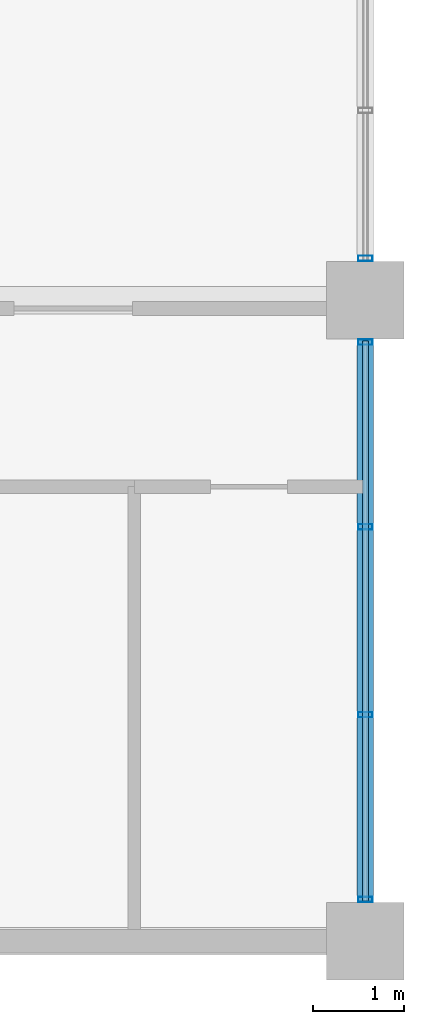
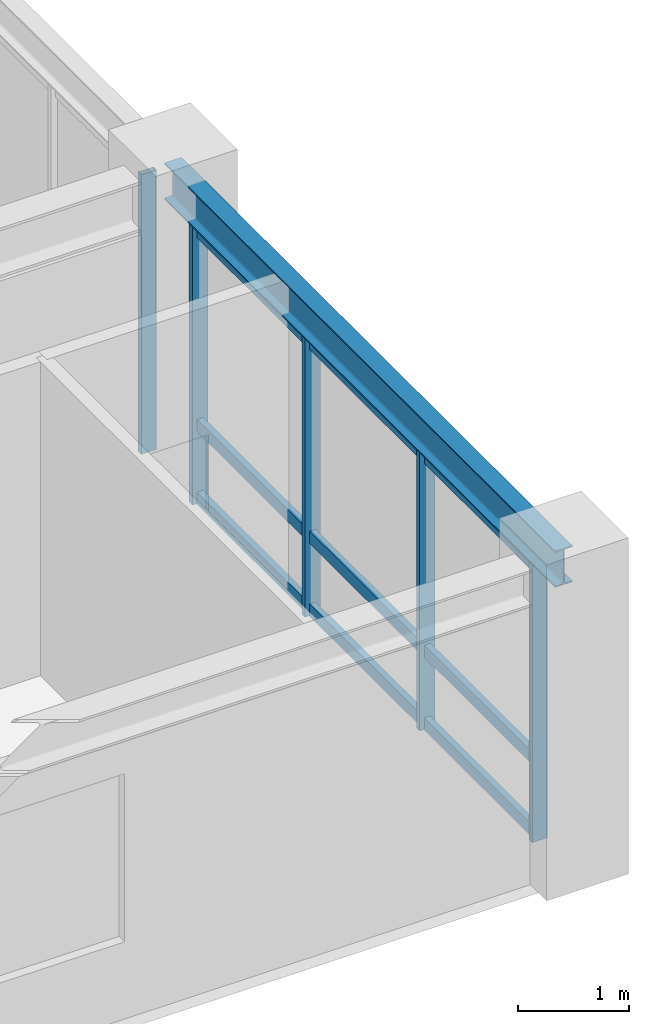
# One storey, part 2 of 10: 8 members, 1 beam, 2 elements without a shape of their own.
"""IFC4 building model written with IfcOpenShell, lengths in metres."""

from ifc_helpers import new_model, si_unit, direction, frame, origin, origin_2d, place, context, subcontext, project, spatial, hollow_rectangle, i_section, extrude, source, transform, mapped, material, layer, layer_set, material_profile, profile_set, type_object, element, aggregate, save


model = new_model("IFC4")

# Units and contexts
model_context = context("Model", 3, precision=1e-05, world=origin(), true_north=direction((0.0, 1.0)))
body_context = subcontext(model_context, "Body", "Model", "MODEL_VIEW")
ifc_project = project(units=[si_unit("LENGTHUNIT", "METRE"), si_unit("AREAUNIT", "SQUARE_METRE"), si_unit("VOLUMEUNIT", "CUBIC_METRE"), si_unit("PLANEANGLEUNIT", "RADIAN"), si_unit("MASSUNIT", "GRAM", prefix="KILO")], contexts=[model_context])

# Site, building, storey
site_placement = place(None, origin())
site = spatial("IfcSite", under=ifc_project, at=site_placement, CompositionType="ELEMENT")
building_placement = place(site_placement, origin())
building = spatial("IfcBuilding", under=site, at=building_placement, Name="Kaliganga Portal Commons", CompositionType="ELEMENT")
storey_placement = place(building_placement, frame((0.0, 0.0, 279.5)))
storey = spatial("IfcBuildingStorey", under=building, at=storey_placement, Name="L72", CompositionType="ELEMENT", Elevation=279.5)

# Beam
ifc_material_1 = material(Name="Structural steel S355J2", Category="steel")
ifc_material_profile_1 = material_profile(ifc_material_1, i_section(OverallWidth=0.179931640625, OverallDepth=0.39990234375, WebThickness=0.008544921875, FlangeThickness=0.013427734375, FilletRadius=0.02099609375, at=origin_2d()), Name="IPE 400")
ifc_profile_set_1 = profile_set([ifc_material_profile_1], Name="Structural steel S355J2 wide-flange")
beam_type = type_object("IfcBeamType", Name="BM-FLR-400", PredefinedType="BEAM", material=ifc_profile_set_1)
shared_shape_1 = source(origin(), body_context, "Body", "SweptSolid", [
    extrude(i_section(OverallWidth=0.179931640625, OverallDepth=0.39990234375, WebThickness=0.008544921875, FlangeThickness=0.013427734375, FilletRadius=0.02099609375, at=origin_2d()), origin(), (0.0, 0.0, 1.0), 7.0498046875),
])
beam_placement = place(storey_placement, frame((46.800048828125, 21.60009765625, 3.27490234375), z_axis=(0.0, 1.0, 0.0), x_axis=(-1.0, 0.0, 0.0)))
element("IfcBeam", 1, at=beam_placement, inside=storey, type_object=beam_type, Name="BM G L72 AS468", PredefinedType="BEAM", context=body_context, shape_type="MappedRepresentation", body=[
    mapped(shared_shape_1, transform((0.0, 0.0, 0.0), x_axis=(1.0, 0.0, 0.0), y_axis=(0.0, 1.0, 0.0), z_axis=(0.0, 0.0, 1.0), scale=1.0)),
])

# Curtain wall, members
ifc_material_2 = material(Name="Anodized Aluminium and Laminated Low-E Glass", Category="aluminium")
ifc_layer = layer(ifc_material_2, 0.18994140625)
ifc_layer_set = layer_set([ifc_layer], Name="Anodized Aluminium and Laminated Low-E Glass")
curtain_wall_type = type_object("IfcCurtainWallType", Name="CW-SYS-05", PredefinedType="NOTDEFINED", material=ifc_layer_set)
curtain_wall_1_placement = place(storey_placement, origin())
curtain_wall_1 = element("IfcCurtainWall", 2, at=curtain_wall_1_placement, inside=storey, type_object=curtain_wall_type, Name="CW 05 L72 P1E01S1", PredefinedType="NOTDEFINED")
ifc_material_3 = material(Name="Dark Bronze Anodized Aluminium", Category="aluminium")
ifc_material_profile_2 = material_profile(ifc_material_3, hollow_rectangle(XDim=0.06005859375, YDim=0.159912109375, WallThickness=0.00341796875, at=origin_2d()), Name="ALU MULL 60x160x3.5")
ifc_profile_set_2 = profile_set([ifc_material_profile_2], Name="Dark Bronze Anodized Aluminium")
member_type_1 = type_object("IfcMemberType", Name="CW-MUL-160", PredefinedType="MULLION", material=ifc_profile_set_2)
shared_shape_2 = source(origin(), body_context, "Body", "SweptSolid", [
    extrude(hollow_rectangle(XDim=0.06005859375, YDim=0.159912109375, WallThickness=0.00341796875, at=origin_2d()), origin(), (0.0, 0.0, 1.0), 3.074951171875),
])
member_1_placement = place(storey_placement, frame((46.800048828125, 22.06103515625, 0.0), z_axis=(0.0, 0.0, 1.0), x_axis=(0.0, 1.0, 0.0)))
member_1 = element("IfcMember", 3, at=member_1_placement, type_object=member_type_1, Name="CW:05:L72:P1E01S1 Mullion 00", PredefinedType="MULLION", context=body_context, shape_type="MappedRepresentation", body=[
    mapped(shared_shape_2, transform((0.0, 0.0, 0.0), x_axis=(1.0, 0.0, 0.0), y_axis=(0.0, 1.0, 0.0), z_axis=(0.0, 0.0, 1.0), scale=1.0)),
])
member_2_placement = place(storey_placement, frame((46.800048828125, 24.092041015625, 0.0), z_axis=(0.0, 0.0, 1.0), x_axis=(0.0, 1.0, 0.0)))
member_2 = element("IfcMember", 4, at=member_2_placement, type_object=member_type_1, Name="CW:05:L72:P1E01S1 Mullion 01", PredefinedType="MULLION", context=body_context, shape_type="MappedRepresentation", body=[
    mapped(shared_shape_2, transform((0.0, 0.0, 0.0), x_axis=(1.0, 0.0, 0.0), y_axis=(0.0, 1.0, 0.0), z_axis=(0.0, 0.0, 1.0), scale=1.0)),
])
member_3_placement = place(storey_placement, frame((46.800048828125, 26.157958984375, 0.0), z_axis=(0.0, 0.0, 1.0), x_axis=(0.0, 1.0, 0.0)))
member_3 = element("IfcMember", 5, at=member_3_placement, type_object=member_type_1, Name="CW:05:L72:P1E01S1 Mullion 02", PredefinedType="MULLION", context=body_context, shape_type="MappedRepresentation", body=[
    mapped(shared_shape_2, transform((0.0, 0.0, 0.0), x_axis=(1.0, 0.0, 0.0), y_axis=(0.0, 1.0, 0.0), z_axis=(0.0, 0.0, 1.0), scale=1.0)),
])
member_4_placement = place(storey_placement, frame((46.800048828125, 28.18896484375, 0.0), z_axis=(0.0, 0.0, 1.0), x_axis=(0.0, 1.0, 0.0)))
member_4 = element("IfcMember", 6, at=member_4_placement, type_object=member_type_1, Name="CW:05:L72:P1E01S1 Mullion 03", PredefinedType="MULLION", context=body_context, shape_type="MappedRepresentation", body=[
    mapped(shared_shape_2, transform((0.0, 0.0, 0.0), x_axis=(1.0, 0.0, 0.0), y_axis=(0.0, 1.0, 0.0), z_axis=(0.0, 0.0, 1.0), scale=1.0)),
])

# Curtain wall, member
curtain_wall_2_placement = place(storey_placement, origin())
curtain_wall_2 = element("IfcCurtainWall", 7, at=curtain_wall_2_placement, inside=storey, type_object=curtain_wall_type, Name="CW 05 L72 P1E01S2", PredefinedType="NOTDEFINED")
member_5_placement = place(storey_placement, frame((46.800048828125, 29.111083984375, 0.0), z_axis=(0.0, 0.0, 1.0), x_axis=(0.0, 1.0, 0.0)))
member_5 = element("IfcMember", 8, at=member_5_placement, type_object=member_type_1, Name="CW:05:L72:P1E01S2 Mullion 00", PredefinedType="MULLION", context=body_context, shape_type="MappedRepresentation", body=[
    mapped(shared_shape_2, transform((0.0, 0.0, 0.0), x_axis=(1.0, 0.0, 0.0), y_axis=(0.0, 1.0, 0.0), z_axis=(0.0, 0.0, 1.0), scale=1.0)),
])
aggregate(curtain_wall_2, [member_5])

# Member
ifc_material_profile_3 = material_profile(ifc_material_3, hollow_rectangle(XDim=0.06494140625, YDim=0.135009765625, WallThickness=0.00341796875, at=origin_2d()), Name="ALU TRAN 65x135x3.5")
ifc_profile_set_3 = profile_set([ifc_material_profile_3], Name="Dark Bronze Anodized Aluminium")
member_type_2 = type_object("IfcMemberType", Name="CW-TRN-135", PredefinedType="USERDEFINED", material=ifc_profile_set_3)
shared_shape_3 = source(origin(), body_context, "Body", "SweptSolid", [
    extrude(hollow_rectangle(XDim=0.06494140625, YDim=0.135009765625, WallThickness=0.00341796875, at=origin_2d()), origin(), (0.0, 0.0, 1.0), 6.158203125),
])
member_6_placement = place(storey_placement, frame((46.800048828125, 22.0458984375, 0.06005859375), z_axis=(0.0, 1.0, 0.0), x_axis=(-1.0, 0.0, 0.0)))
member_6 = element("IfcMember", 9, at=member_6_placement, type_object=member_type_2, Name="CW:05:L72:P1E01S1 Transom 1", ObjectType="TRANSOM", PredefinedType="USERDEFINED", context=body_context, shape_type="MappedRepresentation", body=[
    mapped(shared_shape_3, transform((0.0, 0.0, 0.0), x_axis=(1.0, 0.0, 0.0), y_axis=(0.0, 1.0, 0.0), z_axis=(0.0, 0.0, 1.0), scale=1.0)),
])

member_7_placement = place(storey_placement, frame((46.800048828125, 22.0458984375, 0.861083984375), z_axis=(0.0, 1.0, 0.0), x_axis=(-1.0, 0.0, 0.0)))
member_7 = element("IfcMember", 10, at=member_7_placement, type_object=member_type_2, Name="CW:05:L72:P1E01S1 Transom 2", ObjectType="TRANSOM", PredefinedType="USERDEFINED", context=body_context, shape_type="MappedRepresentation", body=[
    mapped(shared_shape_3, transform((0.0, 0.0, 0.0), x_axis=(1.0, 0.0, 0.0), y_axis=(0.0, 1.0, 0.0), z_axis=(0.0, 0.0, 1.0), scale=1.0)),
])

member_8_placement = place(storey_placement, frame((46.800048828125, 22.0458984375, 2.9951171875), z_axis=(0.0, 1.0, 0.0), x_axis=(-1.0, 0.0, 0.0)))
member_8 = element("IfcMember", 11, at=member_8_placement, type_object=member_type_2, Name="CW:05:L72:P1E01S1 Transom 3", ObjectType="TRANSOM", PredefinedType="USERDEFINED", context=body_context, shape_type="MappedRepresentation", body=[
    mapped(shared_shape_3, transform((0.0, 0.0, 0.0), x_axis=(1.0, 0.0, 0.0), y_axis=(0.0, 1.0, 0.0), z_axis=(0.0, 0.0, 1.0), scale=1.0)),
])

aggregate(curtain_wall_1, [member_1, member_2, member_3, member_4, member_6, member_7, member_8])

save(model, "model.ifc")
